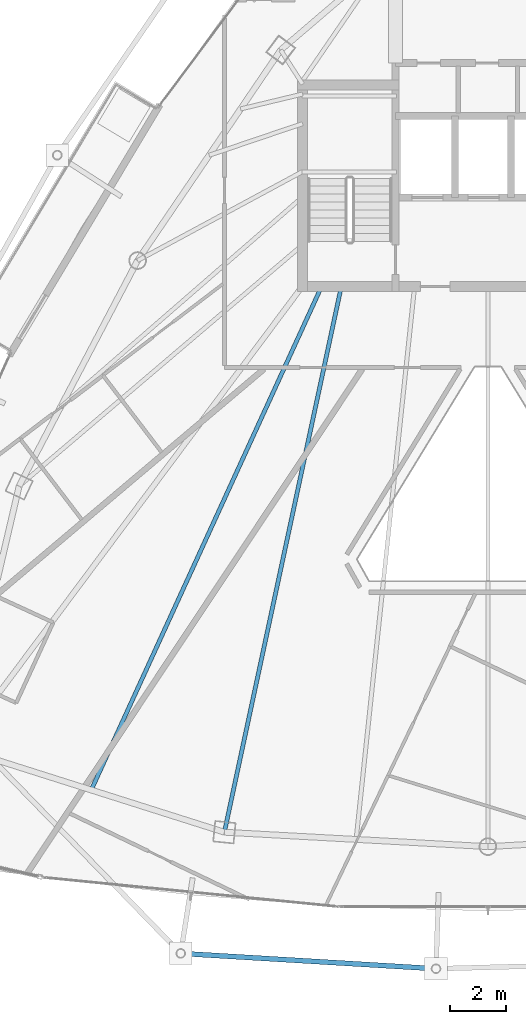
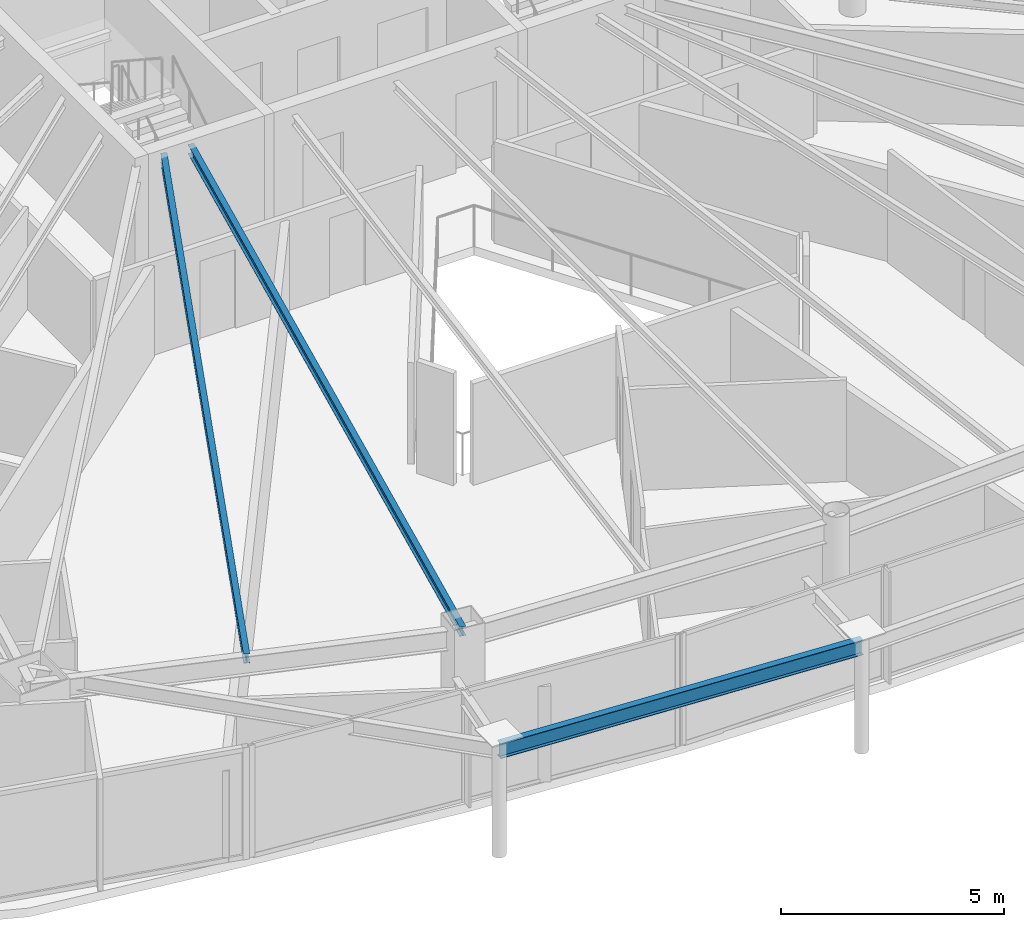
# One storey, part 7 of 33: 3 beams.
"""IFC4 building model written with IfcOpenShell, lengths in metres."""

from ifc_helpers import new_model, si_unit, direction, frame, origin, origin_2d, place, context, subcontext, project, spatial, i_section, extrude, material, material_profile, profile_set, type_object, element, save


model = new_model("IFC4")

# Units and contexts
model_context = context("Model", 3, precision=1e-05, world=origin(), true_north=direction((0.0, 1.0)))
body_context = subcontext(model_context, "Body", "Model", "MODEL_VIEW")
ifc_project = project(units=[si_unit("LENGTHUNIT", "METRE"), si_unit("AREAUNIT", "SQUARE_METRE"), si_unit("VOLUMEUNIT", "CUBIC_METRE"), si_unit("PLANEANGLEUNIT", "RADIAN"), si_unit("MASSUNIT", "GRAM", prefix="KILO")], contexts=[model_context])

# Site, building, storey
site_placement = place(None, origin())
site = spatial("IfcSite", under=ifc_project, at=site_placement, CompositionType="ELEMENT")
building_placement = place(site_placement, origin())
building = spatial("IfcBuilding", under=site, at=building_placement, Name="Orvanel Arch Residences", CompositionType="ELEMENT")
storey_placement = place(building_placement, frame((0.0, 0.0, 212.89990234375)))
storey = spatial("IfcBuildingStorey", under=building, at=storey_placement, Name="L60", CompositionType="ELEMENT", Elevation=212.89990234375)

# Beams
ifc_material = material(Name="Structural steel AS/NZS 3679.1 Grade 300 (300 MPa)", Category="steel")
ifc_material_profile_1 = material_profile(ifc_material, i_section(OverallWidth=0.14599609375, OverallDepth=0.251953125, WebThickness=0.006103515625, FlangeThickness=0.008544921875, at=origin_2d()), Name="250UB31.4")
ifc_profile_set_1 = profile_set([ifc_material_profile_1], Name="Structural steel AS/NZS 3679.1 Grade 300 (300 MPa)")
beam_type_1 = type_object("IfcBeamType", Name="BJ-250UB", PredefinedType="JOIST", material=ifc_profile_set_1)
beam_1_placement = place(storey_placement, frame((27.800048828125, 26.72509765625, 2.93408203125), z_axis=(-0.209547604985, -0.977798446125, 0.0), x_axis=(0.977798446125, -0.209547604985, 0.0)))
element("IfcBeam", 1, at=beam_1_placement, inside=storey, type_object=beam_type_1, Name="L60 SW Wing Floor Joist", PredefinedType="JOIST", context=body_context, shape_type="SweptSolid", body=[
    extrude(i_section(OverallWidth=0.14599609375, OverallDepth=0.251953125, WebThickness=0.006103515625, FlangeThickness=0.008544921875, at=origin_2d()), origin(), (0.0, 0.0, 1.0), 19.809814453125),
])
beam_2_placement = place(storey_placement, frame((27.10009765625, 26.72509765625, 2.93408203125), z_axis=(-0.416009574066, -0.909360233508, 0.0), x_axis=(0.909360233508, -0.416009574066, 0.0)))
element("IfcBeam", 2, at=beam_2_placement, inside=storey, type_object=beam_type_1, Name="L60 JADD1 Wing Floor Joist", PredefinedType="JOIST", context=body_context, shape_type="SweptSolid", body=[
    extrude(i_section(OverallWidth=0.14599609375, OverallDepth=0.251953125, WebThickness=0.006103515625, FlangeThickness=0.008544921875, at=origin_2d()), origin(), (0.0, 0.0, 1.0), 19.653564453125),
])
ifc_material_profile_2 = material_profile(ifc_material, i_section(OverallWidth=0.177978515625, OverallDepth=0.406005859375, WebThickness=0.0078125, FlangeThickness=0.0126953125, at=origin_2d()), Name="410UB59.7")
ifc_profile_set_2 = profile_set([ifc_material_profile_2], Name="Structural steel AS/NZS 3679.1 Grade 300 (300 MPa)")
beam_type_2 = type_object("IfcBeamType", Name="OB-410UB-EXT", PredefinedType="SPANDREL", material=ifc_profile_set_2)
beam_3_placement = place(storey_placement, frame((22.10009765625, 3.053955078125, 2.857177734375), z_axis=(0.998208157486, -0.05983706483, 0.0), x_axis=(0.05983706483, 0.998208157486, 0.0)))
element("IfcBeam", 3, at=beam_3_placement, inside=storey, type_object=beam_type_2, Name="L60 Outer Perimeter Floor Ring Beam 05", PredefinedType="SPANDREL", context=body_context, shape_type="SweptSolid", body=[
    extrude(i_section(OverallWidth=0.177978515625, OverallDepth=0.406005859375, WebThickness=0.0078125, FlangeThickness=0.0126953125, at=origin_2d()), origin(), (0.0, 0.0, 1.0), 9.07421875),
])

save(model, "model.ifc")
